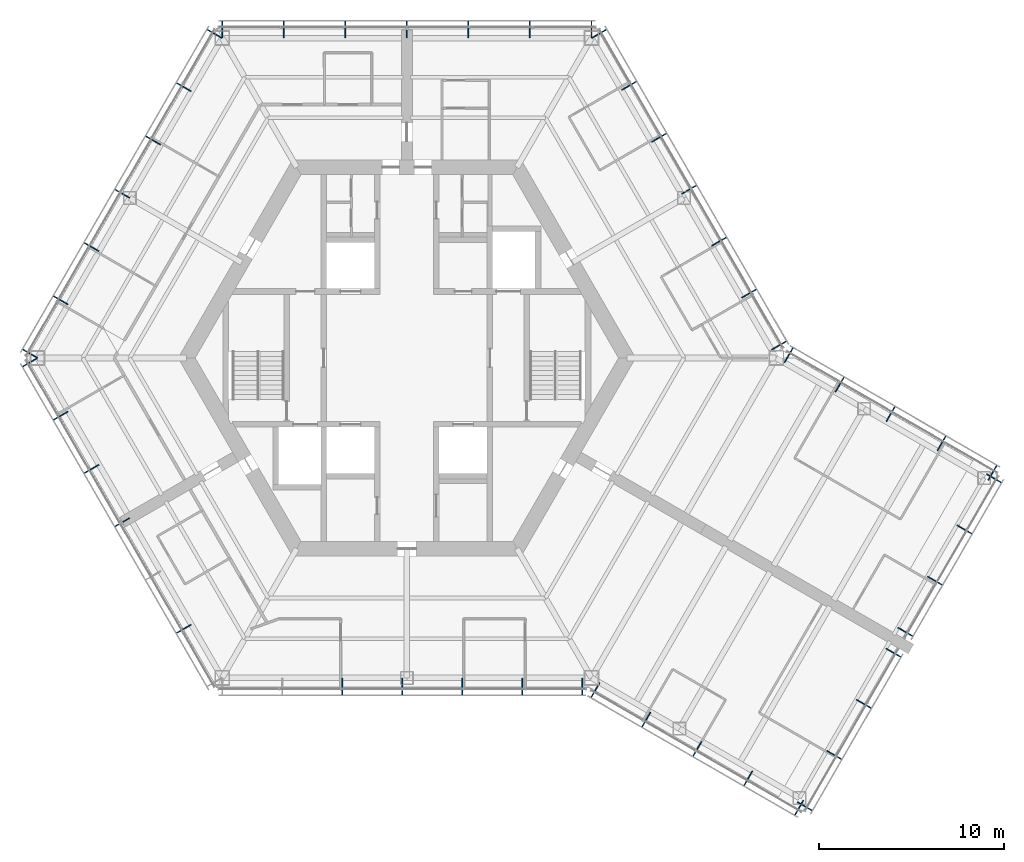
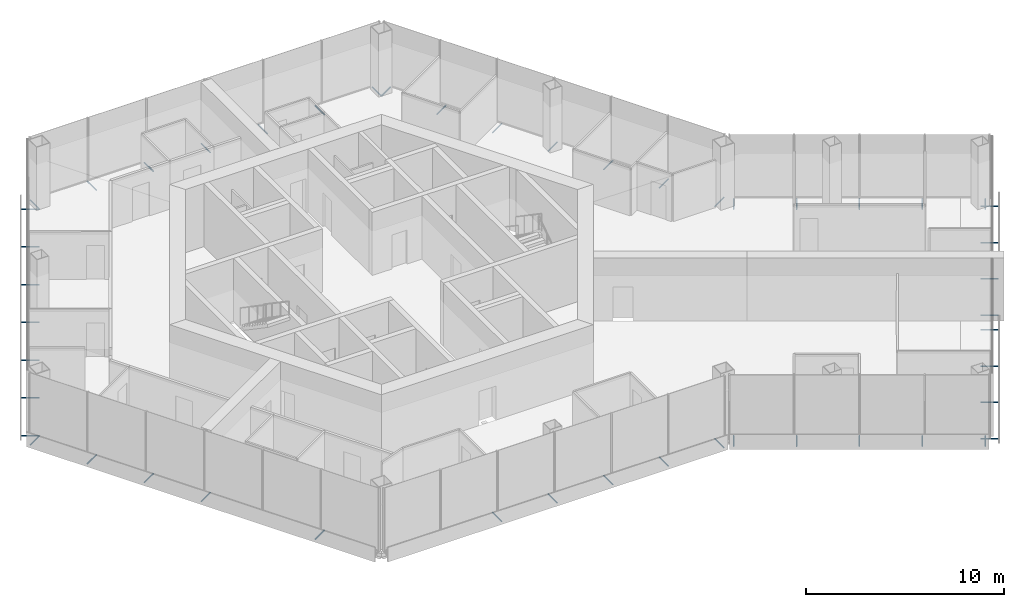
# One storey, part 14 of 16: 49 discrete accessories.
"""IFC4 building model written with IfcOpenShell, lengths in metres."""

from ifc_helpers import new_model, si_unit, direction, frame, origin, origin_2d, place, context, subcontext, project, spatial, hollow_circle, extrude, material, material_profile, profile_set, type_object, element, save


model = new_model("IFC4")

# Units and contexts
model_context = context("Model", 3, precision=1e-05, world=origin(), true_north=direction((0.0, 1.0)))
body_context = subcontext(model_context, "Body", "Model", "MODEL_VIEW")
ifc_project = project(units=[si_unit("LENGTHUNIT", "METRE"), si_unit("AREAUNIT", "SQUARE_METRE"), si_unit("VOLUMEUNIT", "CUBIC_METRE"), si_unit("PLANEANGLEUNIT", "RADIAN"), si_unit("MASSUNIT", "GRAM", prefix="KILO")], contexts=[model_context])

# Site, building, storey
site_placement = place(None, origin())
site = spatial("IfcSite", under=ifc_project, at=site_placement, CompositionType="ELEMENT")
building_placement = place(site_placement, origin())
building = spatial("IfcBuilding", under=site, at=building_placement, Name="Kasaneha Research Tower", CompositionType="ELEMENT")
storey_placement = place(building_placement, frame((0.0, 0.0, 247.89990234375)))
storey = spatial("IfcBuildingStorey", under=building, at=storey_placement, Name="L62", CompositionType="ELEMENT", Elevation=247.89990234375)

# Discrete accessories
ifc_material = material(Name="Steel STK400", Category="steel")
ifc_material_profile = material_profile(ifc_material, hollow_circle(Radius=0.0380859375, WallThickness=0.00390625, at=origin_2d()), Name="CHS-76.3x4.0")
ifc_profile_set = profile_set([ifc_material_profile], Name="Steel STK400")
discrete_accessory_type = type_object("IfcDiscreteAccessoryType", Name="Screen bracket CHS-76.3x4.0", PredefinedType="BRACKET", material=ifc_profile_set)
for number, where, z_axis, x_axis, name in (
    (1, (19.74462890625, 0.4423828125, -0.2998046875), (0.866013213425, 0.500021113727, 0.0), (-0.500021113727, 0.866013213425, 0.0), "Screen bracket 1"),
    (2, (18.120849609375, 3.2548828125, -0.2998046875), (0.866013213425, 0.500021113727, 0.0), (-0.500021113727, 0.866013213425, 0.0), "Screen bracket 2"),
    (3, (16.4970703125, 6.0673828125, -0.2998046875), (0.866013213425, 0.500021113727, 0.0), (-0.500021113727, 0.866013213425, 0.0), "Screen bracket 3"),
    (4, (14.873291015625, 8.8798828125, -0.2998046875), (0.866013213425, 0.500021113727, 0.0), (-0.500021113727, 0.866013213425, 0.0), "Screen bracket 4"),
    (5, (13.24951171875, 11.6923828125, -0.2998046875), (0.866013213425, 0.500021113727, 0.0), (-0.500021113727, 0.866013213425, 0.0), "Screen bracket 5"),
):
    element("IfcDiscreteAccessory", number, at=place(storey_placement, frame(where, z_axis=z_axis, x_axis=x_axis)), inside=storey, type_object=discrete_accessory_type, Name=name, PredefinedType="BRACKET", context=body_context, shape_type="SweptSolid", body=[
        extrude(hollow_circle(Radius=0.0380859375, WallThickness=0.00390625, at=origin_2d()), origin(), (0.0, 0.0, 1.0), 0.919921875),
    ])
for number, where, z_axis, x_axis, name in (
    (6, (11.62548828125, 14.5048828125, -0.2998046875), (0.866079547155, 0.499906209203, 0.0), (-0.499906209203, 0.866079547155, 0.0), "Screen bracket 6"),
    (7, (10.001708984375, 17.3173828125, -0.2998046875), (0.866079547155, 0.499906209203, 0.0), (-0.499906209203, 0.866079547155, 0.0), "Screen bracket 7"),
):
    element("IfcDiscreteAccessory", number, at=place(storey_placement, frame(where, z_axis=z_axis, x_axis=x_axis)), inside=storey, type_object=discrete_accessory_type, Name=name, PredefinedType="BRACKET", context=body_context, shape_type="SweptSolid", body=[
        extrude(hollow_circle(Radius=0.0380859375, WallThickness=0.00390625, at=origin_2d()), origin(), (0.0, 0.0, 1.0), 0.920166015625),
    ])
for number, where, z_axis, x_axis, name in (
    (8, (9.996337890625, 17.320556640625, -0.2998046875), (0.0, 1.0, 0.0), (-1.0, 0.0, 0.0), "Screen bracket 1"),
    (9, (6.664306640625, 17.320556640625, -0.2998046875), (0.0, 1.0, 0.0), (-1.0, 0.0, 0.0), "Screen bracket 2"),
    (10, (3.33203125, 17.320556640625, -0.2998046875), (0.0, 1.0, 0.0), (-1.0, 0.0, 0.0), "Screen bracket 3"),
    (11, (0.0, 17.320556640625, -0.2998046875), (0.0, 1.0, 0.0), (-1.0, 0.0, 0.0), "Screen bracket 4"),
    (12, (-3.33203125, 17.320556640625, -0.2998046875), (0.0, 1.0, 0.0), (-1.0, 0.0, 0.0), "Screen bracket 5"),
    (13, (-6.664306640625, 17.320556640625, -0.2998046875), (0.0, 1.0, 0.0), (-1.0, 0.0, 0.0), "Screen bracket 6"),
    (14, (-9.996337890625, 17.320556640625, -0.2998046875), (0.0, 1.0, 0.0), (-1.0, 0.0, 0.0), "Screen bracket 7"),
):
    element("IfcDiscreteAccessory", number, at=place(storey_placement, frame(where, z_axis=z_axis, x_axis=x_axis)), inside=storey, type_object=discrete_accessory_type, Name=name, PredefinedType="BRACKET", context=body_context, shape_type="SweptSolid", body=[
        extrude(hollow_circle(Radius=0.0380859375, WallThickness=0.00390625, at=origin_2d()), origin(), (0.0, 0.0, 1.0), 0.919921875),
    ])
discrete_accessory_1_placement = place(storey_placement, frame((-10.001708984375, 17.3173828125, -0.2998046875), z_axis=(-0.866079547155, 0.499906209203, 0.0), x_axis=(-0.499906209203, -0.866079547155, 0.0)))
element("IfcDiscreteAccessory", 15, at=discrete_accessory_1_placement, inside=storey, type_object=discrete_accessory_type, Name="Screen bracket 1", PredefinedType="BRACKET", context=body_context, shape_type="SweptSolid", body=[
    extrude(hollow_circle(Radius=0.0380859375, WallThickness=0.00390625, at=origin_2d()), origin(), (0.0, 0.0, 1.0), 0.920166015625),
])
for number, where, z_axis, x_axis, name in (
    (16, (-11.66796875, 14.431640625, -0.2998046875), (-0.866013213425, 0.500021113727, 0.0), (-0.500021113727, -0.866013213425, 0.0), "Screen bracket 2"),
    (17, (-13.333984375, 11.5458984375, -0.2998046875), (-0.866013213425, 0.500021113727, 0.0), (-0.500021113727, -0.866013213425, 0.0), "Screen bracket 3"),
    (18, (-15.0, 8.66015625, -0.2998046875), (-0.865898279276, 0.500220121494, 0.0), (-0.500220121494, -0.865898279276, 0.0), "Screen bracket 4"),
):
    element("IfcDiscreteAccessory", number, at=place(storey_placement, frame(where, z_axis=z_axis, x_axis=x_axis)), inside=storey, type_object=discrete_accessory_type, Name=name, PredefinedType="BRACKET", context=body_context, shape_type="SweptSolid", body=[
        extrude(hollow_circle(Radius=0.0380859375, WallThickness=0.00390625, at=origin_2d()), origin(), (0.0, 0.0, 1.0), 0.919921875),
    ])
for number, where, z_axis, x_axis, name in (
    (19, (-16.666015625, 5.774658203125, -0.2998046875), (-0.866079547155, 0.499906209203, 0.0), (-0.499906209203, -0.866079547155, 0.0), "Screen bracket 5"),
    (20, (-18.33203125, 2.888916015625, -0.2998046875), (-0.866079547155, 0.499906209203, 0.0), (-0.499906209203, -0.866079547155, 0.0), "Screen bracket 6"),
):
    element("IfcDiscreteAccessory", number, at=place(storey_placement, frame(where, z_axis=z_axis, x_axis=x_axis)), inside=storey, type_object=discrete_accessory_type, Name=name, PredefinedType="BRACKET", context=body_context, shape_type="SweptSolid", body=[
        extrude(hollow_circle(Radius=0.0380859375, WallThickness=0.00390625, at=origin_2d()), origin(), (0.0, 0.0, 1.0), 0.920166015625),
    ])
for number, where, z_axis, x_axis, name in (
    (21, (-19.998291015625, 0.003173828125, -0.2998046875), (-0.866013213425, 0.500021113727, 0.0), (-0.500021113727, -0.866013213425, 0.0), "Screen bracket 7"),
    (22, (-19.998291015625, -0.003173828125, -0.2998046875), (-0.866013213425, -0.500021113727, 0.0), (0.500021113727, -0.866013213425, 0.0), "Screen bracket 1"),
):
    element("IfcDiscreteAccessory", number, at=place(storey_placement, frame(where, z_axis=z_axis, x_axis=x_axis)), inside=storey, type_object=discrete_accessory_type, Name=name, PredefinedType="BRACKET", context=body_context, shape_type="SweptSolid", body=[
        extrude(hollow_circle(Radius=0.0380859375, WallThickness=0.00390625, at=origin_2d()), origin(), (0.0, 0.0, 1.0), 0.919921875),
    ])
for number, where, z_axis, x_axis, name in (
    (23, (-18.33203125, -2.888916015625, -0.2998046875), (-0.866079547155, -0.499906209203, 0.0), (0.499906209203, -0.866079547155, 0.0), "Screen bracket 2"),
    (24, (-16.666015625, -5.774658203125, -0.2998046875), (-0.866079547155, -0.499906209203, 0.0), (0.499906209203, -0.866079547155, 0.0), "Screen bracket 3"),
):
    element("IfcDiscreteAccessory", number, at=place(storey_placement, frame(where, z_axis=z_axis, x_axis=x_axis)), inside=storey, type_object=discrete_accessory_type, Name=name, PredefinedType="BRACKET", context=body_context, shape_type="SweptSolid", body=[
        extrude(hollow_circle(Radius=0.0380859375, WallThickness=0.00390625, at=origin_2d()), origin(), (0.0, 0.0, 1.0), 0.920166015625),
    ])
for number, where, z_axis, x_axis, name in (
    (25, (-15.0, -8.66015625, -0.2998046875), (-0.865898279276, -0.500220121494, 0.0), (0.500220121494, -0.865898279276, 0.0), "Screen bracket 4"),
    (26, (-11.66796875, -14.431640625, -0.2998046875), (-0.866013213425, -0.500021113727, 0.0), (0.500021113727, -0.866013213425, 0.0), "Screen bracket 6"),
    (27, (-3.501220703125, -17.320556640625, -0.2998046875), (0.0, -1.0, 0.0), (1.0, 0.0, 0.0), "Screen bracket 3"),
    (28, (-0.253662109375, -17.320556640625, -0.2998046875), (0.0, -1.0, 0.0), (1.0, 0.0, 0.0), "Screen bracket 4"),
    (29, (2.993896484375, -17.320556640625, -0.2998046875), (0.0, -1.0, 0.0), (1.0, 0.0, 0.0), "Screen bracket 5"),
    (30, (6.24169921875, -17.320556640625, -0.2998046875), (0.0, -1.0, 0.0), (1.0, 0.0, 0.0), "Screen bracket 6"),
    (31, (9.4892578125, -17.320556640625, -0.2998046875), (0.0, -1.0, 0.0), (1.0, 0.0, 0.0), "Screen bracket 7"),
    (32, (10.4423828125, -17.575927734375, -0.2998046875), (-0.500021113727, -0.866013213425, 0.0), (0.866013213425, -0.500021113727, 0.0), "Screen bracket 1"),
):
    element("IfcDiscreteAccessory", number, at=place(storey_placement, frame(where, z_axis=z_axis, x_axis=x_axis)), inside=storey, type_object=discrete_accessory_type, Name=name, PredefinedType="BRACKET", context=body_context, shape_type="SweptSolid", body=[
        extrude(hollow_circle(Radius=0.0380859375, WallThickness=0.00390625, at=origin_2d()), origin(), (0.0, 0.0, 1.0), 0.919921875),
    ])
discrete_accessory_2_placement = place(storey_placement, frame((13.200439453125, -19.168212890625, -0.2998046875), z_axis=(-0.499906209203, -0.866079547155, 0.0), x_axis=(0.866079547155, -0.499906209203, 0.0)))
element("IfcDiscreteAccessory", 33, at=discrete_accessory_2_placement, inside=storey, type_object=discrete_accessory_type, Name="Screen bracket 2", PredefinedType="BRACKET", context=body_context, shape_type="SweptSolid", body=[
    extrude(hollow_circle(Radius=0.0380859375, WallThickness=0.00390625, at=origin_2d()), origin(), (0.0, 0.0, 1.0), 0.920166015625),
])
discrete_accessory_3_placement = place(storey_placement, frame((15.95849609375, -20.7607421875, -0.2998046875), z_axis=(-0.500021113727, -0.866013213425, 0.0), x_axis=(0.866013213425, -0.500021113727, 0.0)))
element("IfcDiscreteAccessory", 34, at=discrete_accessory_3_placement, inside=storey, type_object=discrete_accessory_type, Name="Screen bracket 3", PredefinedType="BRACKET", context=body_context, shape_type="SweptSolid", body=[
    extrude(hollow_circle(Radius=0.0380859375, WallThickness=0.00390625, at=origin_2d()), origin(), (0.0, 0.0, 1.0), 0.919921875),
])
discrete_accessory_4_placement = place(storey_placement, frame((18.716796875, -22.35302734375, -0.2998046875), z_axis=(-0.500105201737, -0.865964657013, 0.0), x_axis=(0.865964657013, -0.500105201737, 0.0)))
element("IfcDiscreteAccessory", 35, at=discrete_accessory_4_placement, inside=storey, type_object=discrete_accessory_type, Name="Screen bracket 4", PredefinedType="BRACKET", context=body_context, shape_type="SweptSolid", body=[
    extrude(hollow_circle(Radius=0.0380859375, WallThickness=0.00390625, at=origin_2d()), origin(), (0.0, 0.0, 1.0), 0.920166015625),
])
discrete_accessory_5_placement = place(storey_placement, frame((21.474853515625, -23.945556640625, -0.2998046875), z_axis=(-0.500021113727, -0.866013213425, 0.0), x_axis=(0.866013213425, -0.500021113727, 0.0)))
element("IfcDiscreteAccessory", 36, at=discrete_accessory_5_placement, inside=storey, type_object=discrete_accessory_type, Name="Screen bracket 5", PredefinedType="BRACKET", context=body_context, shape_type="SweptSolid", body=[
    extrude(hollow_circle(Radius=0.0380859375, WallThickness=0.00390625, at=origin_2d()), origin(), (0.0, 0.0, 1.0), 0.919921875),
])
discrete_accessory_6_placement = place(storey_placement, frame((21.13330078125, -24.037109375, -0.2998046875), z_axis=(0.866079547155, -0.499906209203, 0.0), x_axis=(0.499906209203, 0.866079547155, 0.0)))
element("IfcDiscreteAccessory", 37, at=discrete_accessory_6_placement, inside=storey, type_object=discrete_accessory_type, Name="Screen bracket 1", PredefinedType="BRACKET", context=body_context, shape_type="SweptSolid", body=[
    extrude(hollow_circle(Radius=0.0380859375, WallThickness=0.00390625, at=origin_2d()), origin(), (0.0, 0.0, 1.0), 0.920166015625),
])
discrete_accessory_7_placement = place(storey_placement, frame((22.7333984375, -21.265625, -0.2998046875), z_axis=(0.865898279276, -0.500220121494, 0.0), x_axis=(0.500220121494, 0.865898279276, 0.0)))
element("IfcDiscreteAccessory", 38, at=discrete_accessory_7_placement, inside=storey, type_object=discrete_accessory_type, Name="Screen bracket 2", PredefinedType="BRACKET", context=body_context, shape_type="SweptSolid", body=[
    extrude(hollow_circle(Radius=0.0380859375, WallThickness=0.00390625, at=origin_2d()), origin(), (0.0, 0.0, 1.0), 0.919921875),
])
discrete_accessory_8_placement = place(storey_placement, frame((24.333251953125, -18.494384765625, -0.2998046875), z_axis=(0.866079547155, -0.499906209203, 0.0), x_axis=(0.499906209203, 0.866079547155, 0.0)))
element("IfcDiscreteAccessory", 39, at=discrete_accessory_8_placement, inside=storey, type_object=discrete_accessory_type, Name="Screen bracket 3", PredefinedType="BRACKET", context=body_context, shape_type="SweptSolid", body=[
    extrude(hollow_circle(Radius=0.0380859375, WallThickness=0.00390625, at=origin_2d()), origin(), (0.0, 0.0, 1.0), 0.920166015625),
])
discrete_accessory_9_placement = place(storey_placement, frame((25.933349609375, -15.72314453125, -0.2998046875), z_axis=(0.866013213425, -0.500021113727, 0.0), x_axis=(0.500021113727, 0.866013213425, 0.0)))
element("IfcDiscreteAccessory", 40, at=discrete_accessory_9_placement, inside=storey, type_object=discrete_accessory_type, Name="Screen bracket 4", PredefinedType="BRACKET", context=body_context, shape_type="SweptSolid", body=[
    extrude(hollow_circle(Radius=0.0380859375, WallThickness=0.00390625, at=origin_2d()), origin(), (0.0, 0.0, 1.0), 0.919921875),
])
discrete_accessory_10_placement = place(storey_placement, frame((26.583251953125, -14.597412109375, -0.2998046875), z_axis=(0.866079547155, -0.499906209203, 0.0), x_axis=(0.499906209203, 0.866079547155, 0.0)))
element("IfcDiscreteAccessory", 41, at=discrete_accessory_10_placement, inside=storey, type_object=discrete_accessory_type, Name="Screen bracket 1", PredefinedType="BRACKET", context=body_context, shape_type="SweptSolid", body=[
    extrude(hollow_circle(Radius=0.0380859375, WallThickness=0.00390625, at=origin_2d()), origin(), (0.0, 0.0, 1.0), 0.920166015625),
])
for number, where, z_axis, x_axis, name in (
    (42, (28.183349609375, -11.826171875, -0.2998046875), (0.866013213425, -0.500021113727, 0.0), (0.500021113727, 0.866013213425, 0.0), "Screen bracket 2"),
    (43, (29.783447265625, -9.0546875, -0.2998046875), (0.865898279276, -0.500220121494, 0.0), (0.500220121494, 0.865898279276, 0.0), "Screen bracket 3"),
):
    element("IfcDiscreteAccessory", number, at=place(storey_placement, frame(where, z_axis=z_axis, x_axis=x_axis)), inside=storey, type_object=discrete_accessory_type, Name=name, PredefinedType="BRACKET", context=body_context, shape_type="SweptSolid", body=[
        extrude(hollow_circle(Radius=0.0380859375, WallThickness=0.00390625, at=origin_2d()), origin(), (0.0, 0.0, 1.0), 0.919921875),
    ])
discrete_accessory_11_placement = place(storey_placement, frame((31.38330078125, -6.283447265625, -0.2998046875), z_axis=(0.866079547155, -0.499906209203, 0.0), x_axis=(0.499906209203, 0.866079547155, 0.0)))
element("IfcDiscreteAccessory", 44, at=discrete_accessory_11_placement, inside=storey, type_object=discrete_accessory_type, Name="Screen bracket 4", PredefinedType="BRACKET", context=body_context, shape_type="SweptSolid", body=[
    extrude(hollow_circle(Radius=0.0380859375, WallThickness=0.00390625, at=origin_2d()), origin(), (0.0, 0.0, 1.0), 0.920166015625),
])
discrete_accessory_12_placement = place(storey_placement, frame((31.474853515625, -6.625, -0.2998046875), z_axis=(0.500021113727, 0.866013213425, 0.0), x_axis=(-0.866013213425, 0.500021113727, 0.0)))
element("IfcDiscreteAccessory", 45, at=discrete_accessory_12_placement, inside=storey, type_object=discrete_accessory_type, Name="Screen bracket 1", PredefinedType="BRACKET", context=body_context, shape_type="SweptSolid", body=[
    extrude(hollow_circle(Radius=0.0380859375, WallThickness=0.00390625, at=origin_2d()), origin(), (0.0, 0.0, 1.0), 0.919921875),
])
discrete_accessory_13_placement = place(storey_placement, frame((28.716796875, -5.03271484375, -0.2998046875), z_axis=(0.499906209203, 0.866079547155, 0.0), x_axis=(-0.866079547155, 0.499906209203, 0.0)))
element("IfcDiscreteAccessory", 46, at=discrete_accessory_13_placement, inside=storey, type_object=discrete_accessory_type, Name="Screen bracket 2", PredefinedType="BRACKET", context=body_context, shape_type="SweptSolid", body=[
    extrude(hollow_circle(Radius=0.0380859375, WallThickness=0.00390625, at=origin_2d()), origin(), (0.0, 0.0, 1.0), 0.920166015625),
])
discrete_accessory_14_placement = place(storey_placement, frame((25.95849609375, -3.440185546875, -0.2998046875), z_axis=(0.500220121494, 0.865898279276, 0.0), x_axis=(-0.865898279276, 0.500220121494, 0.0)))
element("IfcDiscreteAccessory", 47, at=discrete_accessory_14_placement, inside=storey, type_object=discrete_accessory_type, Name="Screen bracket 3", PredefinedType="BRACKET", context=body_context, shape_type="SweptSolid", body=[
    extrude(hollow_circle(Radius=0.0380859375, WallThickness=0.00390625, at=origin_2d()), origin(), (0.0, 0.0, 1.0), 0.919921875),
])
discrete_accessory_15_placement = place(storey_placement, frame((23.200439453125, -1.847900390625, -0.2998046875), z_axis=(0.499906209203, 0.866079547155, 0.0), x_axis=(-0.866079547155, 0.499906209203, 0.0)))
element("IfcDiscreteAccessory", 48, at=discrete_accessory_15_placement, inside=storey, type_object=discrete_accessory_type, Name="Screen bracket 4", PredefinedType="BRACKET", context=body_context, shape_type="SweptSolid", body=[
    extrude(hollow_circle(Radius=0.0380859375, WallThickness=0.00390625, at=origin_2d()), origin(), (0.0, 0.0, 1.0), 0.920166015625),
])
discrete_accessory_16_placement = place(storey_placement, frame((20.4423828125, -0.25537109375, -0.2998046875), z_axis=(0.500021113727, 0.866013213425, 0.0), x_axis=(-0.866013213425, 0.500021113727, 0.0)))
element("IfcDiscreteAccessory", 49, at=discrete_accessory_16_placement, inside=storey, type_object=discrete_accessory_type, Name="Screen bracket 5", PredefinedType="BRACKET", context=body_context, shape_type="SweptSolid", body=[
    extrude(hollow_circle(Radius=0.0380859375, WallThickness=0.00390625, at=origin_2d()), origin(), (0.0, 0.0, 1.0), 0.919921875),
])

save(model, "model.ifc")
